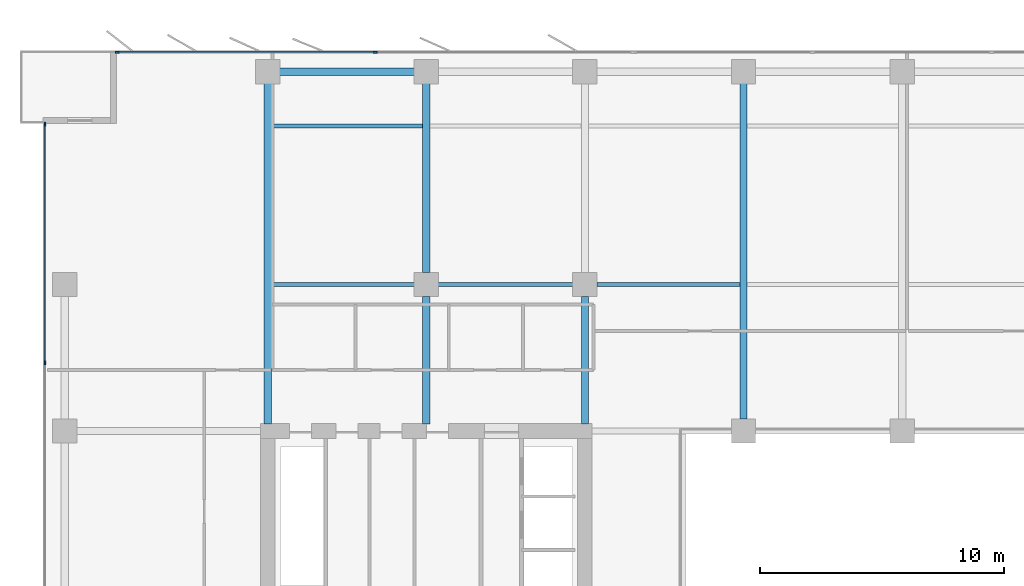
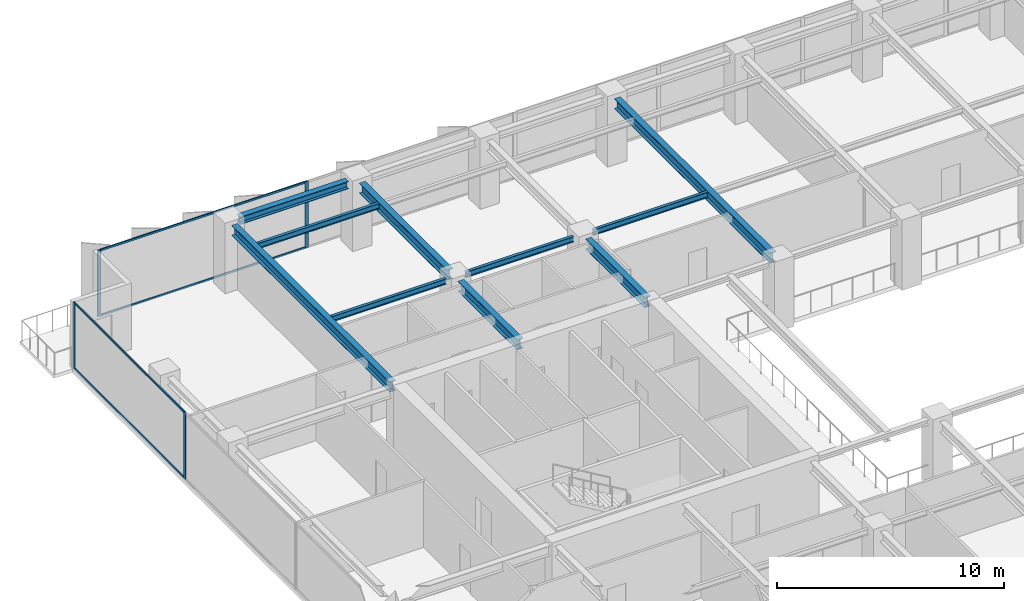
# One storey, part 8 of 22: 10 beams, 8 members, 2 elements without a shape of their own.
"""IFC4 building model written with IfcOpenShell, lengths in metres."""

from ifc_helpers import new_model, si_unit, direction, frame, origin, origin_2d, place, context, subcontext, project, spatial, rectangle, i_section, extrude, material, layer, layer_set, material_profile, profile_set, type_object, element, aggregate, save


model = new_model("IFC4")

# Units and contexts
model_context = context("Model", 3, precision=1e-05, world=origin(), true_north=direction((0.0, 1.0)))
body_context = subcontext(model_context, "Body", "Model", "MODEL_VIEW")
ifc_project = project(units=[si_unit("LENGTHUNIT", "METRE"), si_unit("AREAUNIT", "SQUARE_METRE"), si_unit("VOLUMEUNIT", "CUBIC_METRE"), si_unit("PLANEANGLEUNIT", "RADIAN"), si_unit("MASSUNIT", "GRAM", prefix="KILO")], contexts=[model_context])

# Site, building, storey
site_placement = place(None, origin())
site = spatial("IfcSite", under=ifc_project, at=site_placement, CompositionType="ELEMENT")
building_placement = place(site_placement, origin())
building = spatial("IfcBuilding", under=site, at=building_placement, Name="Putna Gate Headquarters", CompositionType="ELEMENT")
storey_placement = place(building_placement, frame((0.0, 0.0, 148.0)))
storey = spatial("IfcBuildingStorey", under=building, at=storey_placement, Name="L36", CompositionType="ELEMENT", Elevation=148.0)

# Beams
ifc_material_1 = material(Name="Steel S355J2", Category="steel")
ifc_material_profile_1 = material_profile(ifc_material_1, i_section(OverallWidth=0.300048828125, OverallDepth=0.550048828125, WebThickness=0.014892578125, FlangeThickness=0.029052734375, at=origin_2d()), Name="Steel S355J2")
ifc_profile_set_1 = profile_set([ifc_material_profile_1], Name="Steel S355J2")
beam_type_1 = type_object("IfcBeamType", Name="BM-GIRD-Z3-HEB550", PredefinedType="USERDEFINED", material=ifc_profile_set_1)
beam_1_placement = place(storey_placement, frame((13.0, 33.284912109375, 3.297119140625), z_axis=(0.0, 1.0, 0.0), x_axis=(-1.0, 0.0, 0.0)))
element("IfcBeam", 1, at=beam_1_placement, inside=storey, type_object=beam_type_1, Name="L36 North Primary Girder X13", ObjectType="GIRDER", PredefinedType="USERDEFINED", context=body_context, shape_type="SweptSolid", body=[
    extrude(i_section(OverallWidth=0.300048828125, OverallDepth=0.550048828125, WebThickness=0.014892578125, FlangeThickness=0.029052734375, at=origin_2d()), origin(), (0.0, 0.0, 1.0), 13.947021484375),
])
beam_2_placement = place(storey_placement, frame((19.5, 33.284912109375, 3.297119140625), z_axis=(0.0, 1.0, 0.0), x_axis=(-1.0, 0.0, 0.0)))
element("IfcBeam", 2, at=beam_2_placement, inside=storey, type_object=beam_type_1, Name="L36 North Primary Girder X19-1", ObjectType="GIRDER", PredefinedType="USERDEFINED", context=body_context, shape_type="SweptSolid", body=[
    extrude(i_section(OverallWidth=0.300048828125, OverallDepth=0.550048828125, WebThickness=0.014892578125, FlangeThickness=0.029052734375, at=origin_2d()), origin(), (0.0, 0.0, 1.0), 5.22705078125),
])
beam_3_placement = place(storey_placement, frame((19.5, 39.488037109375, 3.297119140625), z_axis=(0.0, 1.0, 0.0), x_axis=(-1.0, 0.0, 0.0)))
element("IfcBeam", 3, at=beam_3_placement, inside=storey, type_object=beam_type_1, Name="L36 North Primary Girder X19-2", ObjectType="GIRDER", PredefinedType="USERDEFINED", context=body_context, shape_type="SweptSolid", body=[
    extrude(i_section(OverallWidth=0.300048828125, OverallDepth=0.550048828125, WebThickness=0.014892578125, FlangeThickness=0.029052734375, at=origin_2d()), origin(), (0.0, 0.0, 1.0), 7.743896484375),
])
beam_4_placement = place(storey_placement, frame((26.0, 33.284912109375, 3.297119140625), z_axis=(0.0, 1.0, 0.0), x_axis=(-1.0, 0.0, 0.0)))
element("IfcBeam", 4, at=beam_4_placement, inside=storey, type_object=beam_type_1, Name="L36 North Primary Girder X26-1", ObjectType="GIRDER", PredefinedType="USERDEFINED", context=body_context, shape_type="SweptSolid", body=[
    extrude(i_section(OverallWidth=0.300048828125, OverallDepth=0.550048828125, WebThickness=0.014892578125, FlangeThickness=0.029052734375, at=origin_2d()), origin(), (0.0, 0.0, 1.0), 5.22705078125),
])
beam_5_placement = place(storey_placement, frame((32.5, 33.488037109375, 3.297119140625), z_axis=(0.0, 1.0, 0.0), x_axis=(-1.0, 0.0, 0.0)))
element("IfcBeam", 5, at=beam_5_placement, inside=storey, type_object=beam_type_1, Name="L36 North Primary Girder X32", ObjectType="GIRDER", PredefinedType="USERDEFINED", context=body_context, shape_type="SweptSolid", body=[
    extrude(i_section(OverallWidth=0.300048828125, OverallDepth=0.550048828125, WebThickness=0.014892578125, FlangeThickness=0.029052734375, at=origin_2d()), origin(), (0.0, 0.0, 1.0), 13.743896484375),
])
ifc_material_profile_2 = material_profile(ifc_material_1, i_section(OverallWidth=0.14990234375, OverallDepth=0.300048828125, WebThickness=0.007080078125, FlangeThickness=0.0107421875, at=origin_2d()), Name="Steel S355J2")
ifc_profile_set_2 = profile_set([ifc_material_profile_2], Name="Steel S355J2")
beam_type_2 = type_object("IfcBeamType", Name="BM-SEC-Z3-IPE300", PredefinedType="JOIST", material=ifc_profile_set_2)
beam_6_placement = place(storey_placement, frame((13.154052734375, 39.0, 3.422119140625), z_axis=(1.0, 0.0, 0.0), x_axis=(0.0, 1.0, 0.0)))
element("IfcBeam", 6, at=beam_6_placement, inside=storey, type_object=beam_type_2, Name="L36 North Secondary Beam 1", PredefinedType="JOIST", context=body_context, shape_type="SweptSolid", body=[
    extrude(i_section(OverallWidth=0.14990234375, OverallDepth=0.300048828125, WebThickness=0.007080078125, FlangeThickness=0.0107421875, at=origin_2d()), origin(), (0.0, 0.0, 1.0), 5.85791015625),
])
beam_7_placement = place(storey_placement, frame((13.154052734375, 45.5, 3.422119140625), z_axis=(1.0, 0.0, 0.0), x_axis=(0.0, 1.0, 0.0)))
element("IfcBeam", 7, at=beam_7_placement, inside=storey, type_object=beam_type_2, Name="L36 North Secondary Beam 1", PredefinedType="JOIST", context=body_context, shape_type="SweptSolid", body=[
    extrude(i_section(OverallWidth=0.14990234375, OverallDepth=0.300048828125, WebThickness=0.007080078125, FlangeThickness=0.0107421875, at=origin_2d()), origin(), (0.0, 0.0, 1.0), 6.19189453125),
])
beam_8_placement = place(storey_placement, frame((19.988037109375, 39.0, 3.422119140625), z_axis=(1.0, 0.0, 0.0), x_axis=(0.0, 1.0, 0.0)))
element("IfcBeam", 8, at=beam_8_placement, inside=storey, type_object=beam_type_2, Name="L36 North Secondary Beam 2", PredefinedType="JOIST", context=body_context, shape_type="SweptSolid", body=[
    extrude(i_section(OverallWidth=0.14990234375, OverallDepth=0.300048828125, WebThickness=0.007080078125, FlangeThickness=0.0107421875, at=origin_2d()), origin(), (0.0, 0.0, 1.0), 5.52392578125),
])
beam_9_placement = place(storey_placement, frame((26.488037109375, 39.0, 3.422119140625), z_axis=(1.0, 0.0, 0.0), x_axis=(0.0, 1.0, 0.0)))
element("IfcBeam", 9, at=beam_9_placement, inside=storey, type_object=beam_type_2, Name="L36 North Secondary Beam 3", PredefinedType="JOIST", context=body_context, shape_type="SweptSolid", body=[
    extrude(i_section(OverallWidth=0.14990234375, OverallDepth=0.300048828125, WebThickness=0.007080078125, FlangeThickness=0.0107421875, at=origin_2d()), origin(), (0.0, 0.0, 1.0), 5.85791015625),
])
ifc_material_profile_3 = material_profile(ifc_material_1, i_section(OverallWidth=0.300048828125, OverallDepth=0.39990234375, WebThickness=0.013427734375, FlangeThickness=0.02392578125, at=origin_2d()), Name="Steel S355J2")
ifc_profile_set_3 = profile_set([ifc_material_profile_3], Name="Steel S355J2")
beam_type_3 = type_object("IfcBeamType", Name="BM-SPAN-Z3-HEB400", PredefinedType="SPANDREL", material=ifc_profile_set_3)
beam_10_placement = place(storey_placement, frame((13.488037109375, 47.719970703125, 3.3720703125), z_axis=(1.0, 0.0, 0.0), x_axis=(0.0, 1.0, 0.0)))
element("IfcBeam", 10, at=beam_10_placement, inside=storey, type_object=beam_type_3, Name="L36 N Perimeter Spandrel 1", PredefinedType="SPANDREL", context=body_context, shape_type="SweptSolid", body=[
    extrude(i_section(OverallWidth=0.300048828125, OverallDepth=0.39990234375, WebThickness=0.013427734375, FlangeThickness=0.02392578125, at=origin_2d()), origin(), (0.0, 0.0, 1.0), 5.52392578125),
])

# Curtain wall, members
ifc_material_2 = material(Name="Anodised bronze aluminium curtain wall", Category="aluminium")
ifc_layer = layer(ifc_material_2, 0.159912109375)
ifc_layer_set = layer_set([ifc_layer], Name="Anodised bronze aluminium curtain wall")
curtain_wall_type = type_object("IfcCurtainWallType", Name="CW-SYS-Z3", PredefinedType="USERDEFINED", material=ifc_layer_set)
curtain_wall_1_placement = place(storey_placement, origin())
curtain_wall_1 = element("IfcCurtainWall", 11, at=curtain_wall_1_placement, inside=storey, type_object=curtain_wall_type, Name="L36 North West Curtain Wall", ObjectType="STICK CURTAIN WALL", PredefinedType="USERDEFINED")
ifc_material_3 = material(Name="Anodised bronze aluminium EN AW-6060", Category="aluminium")
ifc_material_profile_4 = material_profile(ifc_material_3, rectangle(XDim=0.06494140625, YDim=0.159912109375, at=origin_2d()), Name="Anodised bronze aluminium EN AW-6060")
ifc_profile_set_4 = profile_set([ifc_material_profile_4], Name="Anodised bronze aluminium EN AW-6060")
member_type_1 = type_object("IfcMemberType", Name="MULL-CWM-3", PredefinedType="MULLION", material=ifc_profile_set_4)
member_1_placement = place(storey_placement, frame((6.83251953125, 48.52001953125, 0.0), z_axis=(0.0, 0.0, 1.0), x_axis=(0.0, 1.0, 0.0)))
member_1 = element("IfcMember", 12, at=member_1_placement, type_object=member_type_1, Name="CWS-3 mullion 1", PredefinedType="MULLION", context=body_context, shape_type="SweptSolid", body=[
    extrude(rectangle(XDim=0.06494140625, YDim=0.159912109375, at=origin_2d()), origin(), (0.0, 0.0, 1.0), 3.572021484375),
])
member_2_placement = place(storey_placement, frame((17.39990234375, 48.52001953125, 0.0), z_axis=(0.0, 0.0, 1.0), x_axis=(0.0, 1.0, 0.0)))
member_2 = element("IfcMember", 13, at=member_2_placement, type_object=member_type_1, Name="CWS-3 mullion 2", PredefinedType="MULLION", context=body_context, shape_type="SweptSolid", body=[
    extrude(rectangle(XDim=0.06494140625, YDim=0.159912109375, at=origin_2d()), origin(), (0.0, 0.0, 1.0), 3.572021484375),
])

curtain_wall_2_placement = place(storey_placement, origin())
curtain_wall_2 = element("IfcCurtainWall", 14, at=curtain_wall_2_placement, inside=storey, type_object=curtain_wall_type, Name="L36 West Curtain Wall", ObjectType="STICK CURTAIN WALL", PredefinedType="USERDEFINED")
member_3_placement = place(storey_placement, frame((3.8798828125, 35.800048828125, 0.0), z_axis=(0.0, 0.0, 1.0), x_axis=(-1.0, 0.0, 0.0)))
member_3 = element("IfcMember", 15, at=member_3_placement, type_object=member_type_1, Name="CWS-3 mullion 4", PredefinedType="MULLION", context=body_context, shape_type="SweptSolid", body=[
    extrude(rectangle(XDim=0.06494140625, YDim=0.159912109375, at=origin_2d()), origin(), (0.0, 0.0, 1.0), 3.572021484375),
])
member_4_placement = place(storey_placement, frame((3.8798828125, 45.5673828125, 0.0), z_axis=(0.0, 0.0, 1.0), x_axis=(-1.0, 0.0, 0.0)))
member_4 = element("IfcMember", 16, at=member_4_placement, type_object=member_type_1, Name="CWS-3 mullion 5", PredefinedType="MULLION", context=body_context, shape_type="SweptSolid", body=[
    extrude(rectangle(XDim=0.06494140625, YDim=0.159912109375, at=origin_2d()), origin(), (0.0, 0.0, 1.0), 3.572021484375),
])

# Member
ifc_material_profile_5 = material_profile(ifc_material_3, rectangle(XDim=0.06005859375, YDim=0.10009765625, at=origin_2d()), Name="Anodised bronze aluminium EN AW-6060")
ifc_profile_set_5 = profile_set([ifc_material_profile_5], Name="Anodised bronze aluminium EN AW-6060")
member_type_2 = type_object("IfcMemberType", Name="TRAN-CWT-3", PredefinedType="USERDEFINED", material=ifc_profile_set_5)
member_5_placement = place(storey_placement, frame((6.864990234375, 48.52001953125, 0.030029296875), z_axis=(1.0, 0.0, 0.0), x_axis=(0.0, 1.0, 0.0)))
member_5 = element("IfcMember", 17, at=member_5_placement, type_object=member_type_2, Name="CWS-3 transom 1.1", ObjectType="TRANSOM", PredefinedType="USERDEFINED", context=body_context, shape_type="SweptSolid", body=[
    extrude(rectangle(XDim=0.06005859375, YDim=0.10009765625, at=origin_2d()), origin(), (0.0, 0.0, 1.0), 10.50244140625),
])

member_6_placement = place(storey_placement, frame((6.864990234375, 48.52001953125, 3.5419921875), z_axis=(1.0, 0.0, 0.0), x_axis=(0.0, 1.0, 0.0)))
member_6 = element("IfcMember", 18, at=member_6_placement, type_object=member_type_2, Name="CWS-3 transom 1.2", ObjectType="TRANSOM", PredefinedType="USERDEFINED", context=body_context, shape_type="SweptSolid", body=[
    extrude(rectangle(XDim=0.06005859375, YDim=0.10009765625, at=origin_2d()), origin(), (0.0, 0.0, 1.0), 10.50244140625),
])

aggregate(curtain_wall_1, [member_1, member_2, member_5, member_6])

member_7_placement = place(storey_placement, frame((3.8798828125, 35.83251953125, 0.030029296875), z_axis=(0.0, 1.0, 0.0), x_axis=(-1.0, 0.0, 0.0)))
member_7 = element("IfcMember", 19, at=member_7_placement, type_object=member_type_2, Name="CWS-3 transom 4.1", ObjectType="TRANSOM", PredefinedType="USERDEFINED", context=body_context, shape_type="SweptSolid", body=[
    extrude(rectangle(XDim=0.06005859375, YDim=0.10009765625, at=origin_2d()), origin(), (0.0, 0.0, 1.0), 9.702392578125),
])

member_8_placement = place(storey_placement, frame((3.8798828125, 35.83251953125, 3.5419921875), z_axis=(0.0, 1.0, 0.0), x_axis=(-1.0, 0.0, 0.0)))
member_8 = element("IfcMember", 20, at=member_8_placement, type_object=member_type_2, Name="CWS-3 transom 4.2", ObjectType="TRANSOM", PredefinedType="USERDEFINED", context=body_context, shape_type="SweptSolid", body=[
    extrude(rectangle(XDim=0.06005859375, YDim=0.10009765625, at=origin_2d()), origin(), (0.0, 0.0, 1.0), 9.702392578125),
])

aggregate(curtain_wall_2, [member_3, member_4, member_7, member_8])

save(model, "model.ifc")
